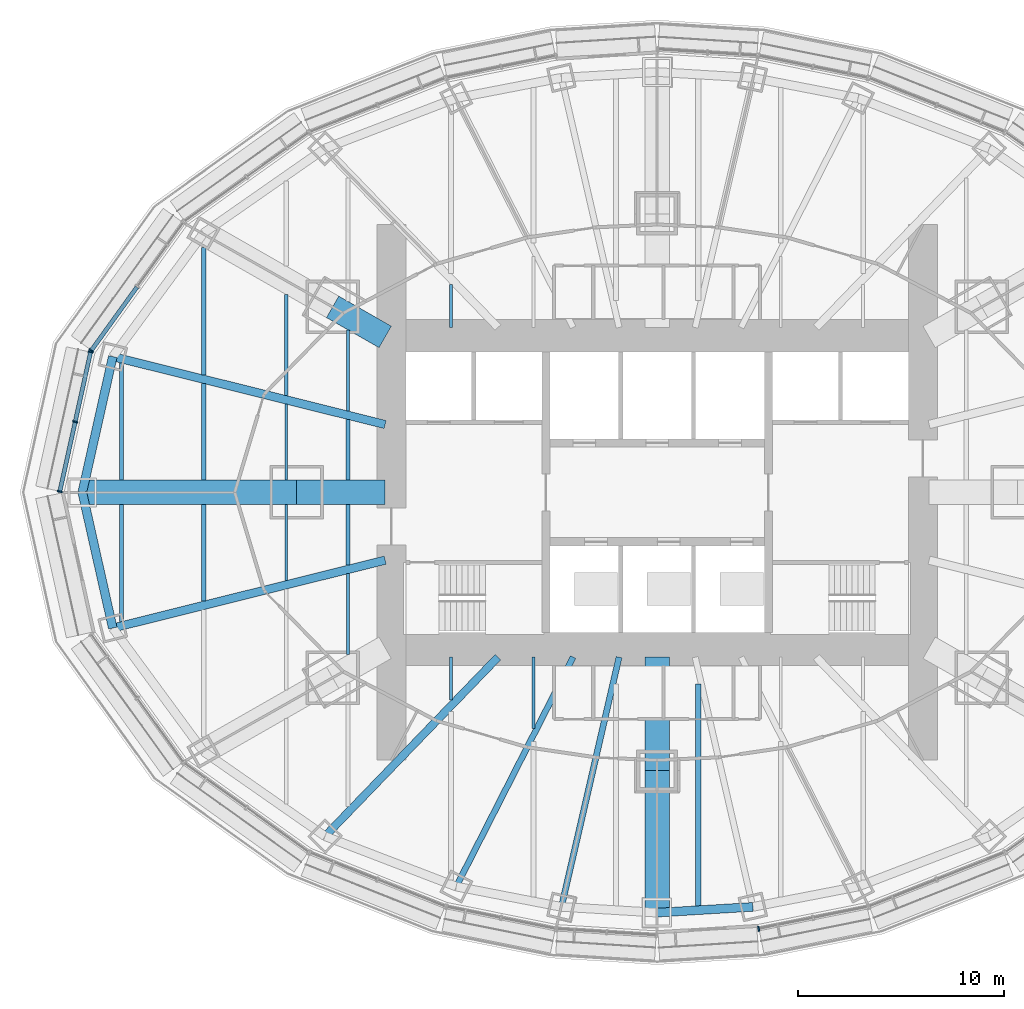
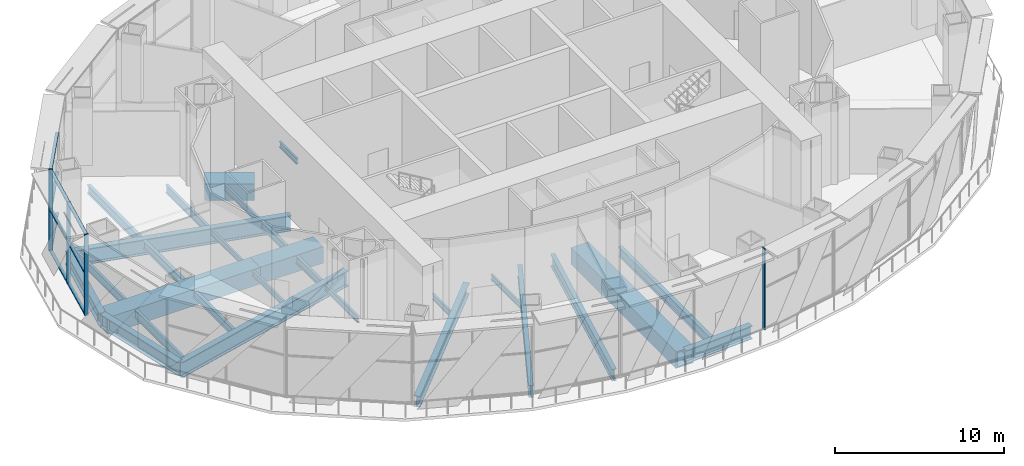
# One storey, part 3 of 21: 29 beams, 14 members, 3 elements without a shape of their own.
"""IFC4 building model written with IfcOpenShell, lengths in metres."""

from ifc_helpers import new_model, si_unit, direction, frame, origin, origin_2d, place, context, subcontext, project, spatial, rectangle, hollow_rectangle, i_section, extrude, material, material_profile, profile_set, type_object, element, aggregate, save


model = new_model("IFC4")

# Units and contexts
model_context = context("Model", 3, precision=1e-05, world=origin(), true_north=direction((0.0, 1.0)))
body_context = subcontext(model_context, "Body", "Model", "MODEL_VIEW")
ifc_project = project(units=[si_unit("LENGTHUNIT", "METRE"), si_unit("AREAUNIT", "SQUARE_METRE"), si_unit("VOLUMEUNIT", "CUBIC_METRE"), si_unit("PLANEANGLEUNIT", "RADIAN"), si_unit("MASSUNIT", "GRAM", prefix="KILO")], contexts=[model_context])

# Site, building, storey
site_placement = place(None, origin())
site = spatial("IfcSite", under=ifc_project, at=site_placement, CompositionType="ELEMENT")
building_placement = place(site_placement, origin())
building = spatial("IfcBuilding", under=site, at=building_placement, Name="Lantaw Convention Tower", CompositionType="ELEMENT")
storey_placement = place(building_placement, frame((0.0, 0.0, 111.39990234375)))
storey = spatial("IfcBuildingStorey", under=building, at=storey_placement, Name="L26", CompositionType="ELEMENT", Elevation=111.39990234375)

# Beams
ifc_material_1 = material(Name="Steel ASTM A992", Category="steel")
ifc_material_profile_1 = material_profile(ifc_material_1, i_section(OverallWidth=0.424072265625, OverallDepth=0.947509765625, WebThickness=0.02392578125, FlangeThickness=0.042724609375, FilletRadius=0.012451171875, at=origin_2d()), Name="W36X302")
ifc_profile_set_1 = profile_set([ifc_material_profile_1], Name="Steel ASTM A992")
beam_type_1 = type_object("IfcBeamType", Name="Beam BC W36X302", PredefinedType="SPANDREL", material=ifc_profile_set_1)
for number, where, z_axis, x_axis, name in (
    (1, (-26.419921875, 6.587158203125, -0.673583984375), (-0.219211877447, -0.975677279015, 0.0), (0.975677279015, -0.219211877447, 0.0), "Belt truss chord 12"),
    (2, (-27.89990234375, 0.0, -0.673583984375), (0.219211877447, -0.975677279015, 0.0), (0.975677279015, 0.219211877447, 0.0), "Belt truss chord 13"),
):
    element("IfcBeam", number, at=place(storey_placement, frame(where, z_axis=z_axis, x_axis=x_axis)), inside=storey, type_object=beam_type_1, Name=name, PredefinedType="SPANDREL", context=body_context, shape_type="SweptSolid", body=[
        extrude(i_section(OverallWidth=0.424072265625, OverallDepth=0.947509765625, WebThickness=0.02392578125, FlangeThickness=0.042724609375, FilletRadius=0.012451171875, at=origin_2d()), origin(), (0.0, 0.0, 1.0), 6.75146484375),
    ])
beam_1_placement = place(storey_placement, frame((0.0, -20.39990234375, -0.673583984375), z_axis=(0.998190892054, 0.06012439621, 0.0), x_axis=(-0.06012439621, 0.998190892054, 0.0)))
element("IfcBeam", 3, at=beam_1_placement, inside=storey, type_object=beam_type_1, Name="Belt truss chord 19", PredefinedType="SPANDREL", context=body_context, shape_type="SweptSolid", body=[
    extrude(i_section(OverallWidth=0.424072265625, OverallDepth=0.947509765625, WebThickness=0.02392578125, FlangeThickness=0.042724609375, FilletRadius=0.012451171875, at=origin_2d()), origin(), (0.0, 0.0, 1.0), 4.6533203125),
])
ifc_material_2 = material(Name="Steel EN 10025-3 S460N", Category="steel")
ifc_material_profile_2 = material_profile(ifc_material_2, hollow_rectangle(XDim=1.199951171875, YDim=1.199951171875, WallThickness=0.10009765625, at=origin_2d()), Name="BOX1200X100")
ifc_profile_set_2 = profile_set([ifc_material_profile_2], Name="Steel EN 10025-3 S460N")
beam_type_2 = type_object("IfcBeamType", Name="Beam G BOX1200X100", PredefinedType="BEAM", material=ifc_profile_set_2)
beam_2_placement = place(storey_placement, frame((-17.5, 0.0, -0.7998046875), z_axis=(-1.0, 0.0, 0.0), x_axis=(0.0, -1.0, 0.0)))
element("IfcBeam", 4, at=beam_2_placement, inside=storey, type_object=beam_type_2, Name="Floor girder on ray 13", PredefinedType="BEAM", context=body_context, shape_type="SweptSolid", body=[
    extrude(hollow_rectangle(XDim=1.199951171875, YDim=1.199951171875, WallThickness=0.10009765625, at=origin_2d()), origin(), (0.0, 0.0, 1.0), 10.39990234375),
])
beam_3_placement = place(storey_placement, frame((0.0, -13.5, -0.7998046875), z_axis=(0.0, -1.0, 0.0), x_axis=(1.0, 0.0, 0.0)))
element("IfcBeam", 5, at=beam_3_placement, inside=storey, type_object=beam_type_2, Name="Floor girder on ray 19", PredefinedType="BEAM", context=body_context, shape_type="SweptSolid", body=[
    extrude(hollow_rectangle(XDim=1.199951171875, YDim=1.199951171875, WallThickness=0.10009765625, at=origin_2d()), origin(), (0.0, 0.0, 1.0), 6.89990234375),
])
ifc_material_profile_3 = material_profile(ifc_material_1, i_section(OverallWidth=0.383544921875, OverallDepth=0.784912109375, WebThickness=0.019775390625, FlangeThickness=0.033447265625, FilletRadius=0.014892578125, at=origin_2d()), Name="W30X211")
ifc_profile_set_3 = profile_set([ifc_material_profile_3], Name="Steel ASTM A992")
beam_type_3 = type_object("IfcBeamType", Name="Beam G W30X211", PredefinedType="BEAM", material=ifc_profile_set_3)
beam_4_placement = place(storey_placement, frame((-7.7255859375, -8.0, -0.59228515625), z_axis=(-0.694661591875, -0.719336689439, 0.0), x_axis=(0.719336689439, -0.694661591875, 0.0)))
element("IfcBeam", 6, at=beam_4_placement, inside=storey, type_object=beam_type_3, Name="Floor girder on ray 16", PredefinedType="BEAM", context=body_context, shape_type="SweptSolid", body=[
    extrude(i_section(OverallWidth=0.383544921875, OverallDepth=0.784912109375, WebThickness=0.019775390625, FlangeThickness=0.033447265625, FilletRadius=0.014892578125, at=origin_2d()), origin(), (0.0, 0.0, 1.0), 12.080810546875),
])
ifc_material_profile_4 = material_profile(ifc_material_1, i_section(OverallWidth=0.2919921875, OverallDepth=0.845703125, WebThickness=0.015380859375, FlangeThickness=0.0244140625, FilletRadius=0.01513671875, at=origin_2d()), Name="W33X141")
ifc_profile_set_4 = profile_set([ifc_material_profile_4], Name="Steel ASTM A992")
beam_type_4 = type_object("IfcBeamType", Name="Beam G W33X141", PredefinedType="BEAM", material=ifc_profile_set_4)
beam_5_placement = place(storey_placement, frame((-4.076171875, -8.0, -0.622802734375), z_axis=(-0.453984907555, -0.891009373527, 0.0), x_axis=(0.891009373527, -0.453984907555, 0.0)))
element("IfcBeam", 7, at=beam_5_placement, inside=storey, type_object=beam_type_4, Name="Floor girder on ray 17", PredefinedType="BEAM", context=body_context, shape_type="SweptSolid", body=[
    extrude(i_section(OverallWidth=0.2919921875, OverallDepth=0.845703125, WebThickness=0.015380859375, FlangeThickness=0.0244140625, FilletRadius=0.01513671875, at=origin_2d()), origin(), (0.0, 0.0, 1.0), 12.49462890625),
])
beam_6_placement = place(storey_placement, frame((-1.846923828125, -8.0, -0.622802734375), z_axis=(-0.224946945919, -0.974371013281, 0.0), x_axis=(0.974371013281, -0.224946945919, 0.0)))
element("IfcBeam", 8, at=beam_6_placement, inside=storey, type_object=beam_type_4, Name="Floor girder on ray 18", PredefinedType="BEAM", context=body_context, shape_type="SweptSolid", body=[
    extrude(i_section(OverallWidth=0.2919921875, OverallDepth=0.845703125, WebThickness=0.015380859375, FlangeThickness=0.0244140625, FilletRadius=0.01513671875, at=origin_2d()), origin(), (0.0, 0.0, 1.0), 12.43896484375),
])
ifc_material_profile_5 = material_profile(ifc_material_1, i_section(OverallWidth=0.40380859375, OverallDepth=1.11767578125, WebThickness=0.026123046875, FlangeThickness=0.044921875, FilletRadius=0.02001953125, at=origin_2d()), Name="W44X335")
ifc_profile_set_5 = profile_set([ifc_material_profile_5], Name="Steel ASTM A992")
beam_type_5 = type_object("IfcBeamType", Name="Beam G W44X335", PredefinedType="BEAM", material=ifc_profile_set_5)
for number, where, z_axis, x_axis, name in (
    (9, (-13.199951171875, 3.291015625, -0.7587890625), (-0.970295145923, 0.241924223256, 0.0), (-0.241924223256, -0.970295145923, 0.0), "Floor girder on ray 12"),
    (10, (-13.199951171875, -3.291015625, -0.7587890625), (-0.970295145923, -0.241924223256, 0.0), (0.241924223256, -0.970295145923, 0.0), "Floor girder on ray 14"),
):
    element("IfcBeam", number, at=place(storey_placement, frame(where, z_axis=z_axis, x_axis=x_axis)), inside=storey, type_object=beam_type_5, Name=name, PredefinedType="BEAM", context=body_context, shape_type="SweptSolid", body=[
        extrude(i_section(OverallWidth=0.40380859375, OverallDepth=1.11767578125, WebThickness=0.026123046875, FlangeThickness=0.044921875, FilletRadius=0.02001953125, at=origin_2d()), origin(), (0.0, 0.0, 1.0), 13.624755859375),
    ])
ifc_material_profile_6 = material_profile(ifc_material_1, i_section(OverallWidth=0.140380859375, OverallDepth=0.40380859375, WebThickness=0.007080078125, FlangeThickness=0.01123046875, FilletRadius=0.01025390625, at=origin_2d()), Name="W16X31")
ifc_profile_set_6 = profile_set([ifc_material_profile_6], Name="Steel ASTM A992")
beam_type_6 = type_object("IfcBeamType", Name="Beam J W16X31", PredefinedType="JOIST", material=ifc_profile_set_6)
for number, where, z_axis, x_axis, name in (
    (11, (-18.0, -4.27978515625, -0.40185546875), (0.0, 1.0, 0.0), (-1.0, 0.0, 0.0), "Floor joist"),
    (12, (-18.0, 0.60009765625, -0.40185546875), (0.0, 1.0, 0.0), (-1.0, 0.0, 0.0), "Floor joist"),
):
    element("IfcBeam", number, at=place(storey_placement, frame(where, z_axis=z_axis, x_axis=x_axis)), inside=storey, type_object=beam_type_6, Name=name, PredefinedType="JOIST", context=body_context, shape_type="SweptSolid", body=[
        extrude(i_section(OverallWidth=0.140380859375, OverallDepth=0.40380859375, WebThickness=0.007080078125, FlangeThickness=0.01123046875, FilletRadius=0.01025390625, at=origin_2d()), origin(), (0.0, 0.0, 1.0), 3.6796875),
    ])
for number, where, z_axis, x_axis, name in (
    (13, (-10.0, -10.079345703125, -0.40185546875), (0.0, 1.0, 0.0), (-1.0, 0.0, 0.0), "Floor joist"),
    (14, (-10.0, 8.0, -0.40185546875), (0.0, 1.0, 0.0), (-1.0, 0.0, 0.0), "Floor joist"),
):
    element("IfcBeam", number, at=place(storey_placement, frame(where, z_axis=z_axis, x_axis=x_axis)), inside=storey, type_object=beam_type_6, Name=name, PredefinedType="JOIST", context=body_context, shape_type="SweptSolid", body=[
        extrude(i_section(OverallWidth=0.140380859375, OverallDepth=0.40380859375, WebThickness=0.007080078125, FlangeThickness=0.01123046875, FilletRadius=0.01025390625, at=origin_2d()), origin(), (0.0, 0.0, 1.0), 2.079345703125),
    ])
beam_7_placement = place(storey_placement, frame((-6.0, -11.453857421875, -0.40185546875), z_axis=(0.0, 1.0, 0.0), x_axis=(-1.0, 0.0, 0.0)))
element("IfcBeam", 15, at=beam_7_placement, inside=storey, type_object=beam_type_6, Name="Floor joist", PredefinedType="JOIST", context=body_context, shape_type="SweptSolid", body=[
    extrude(i_section(OverallWidth=0.140380859375, OverallDepth=0.40380859375, WebThickness=0.007080078125, FlangeThickness=0.01123046875, FilletRadius=0.01025390625, at=origin_2d()), origin(), (0.0, 0.0, 1.0), 3.453857421875),
])
ifc_material_profile_7 = material_profile(ifc_material_1, i_section(OverallWidth=0.15234375, OverallDepth=0.449462890625, WebThickness=0.007568359375, FlangeThickness=0.0107421875, FilletRadius=0.01025390625, at=origin_2d()), Name="W18X35")
ifc_profile_set_7 = profile_set([ifc_material_profile_7], Name="Steel ASTM A992")
beam_type_7 = type_object("IfcBeamType", Name="Beam J W18X35", PredefinedType="JOIST", material=ifc_profile_set_7)
for number, where, z_axis, x_axis, name in (
    (16, (-15.0, -7.88037109375, -0.4248046875), (0.0, 1.0, 0.0), (-1.0, 0.0, 0.0), "Floor joist"),
    (17, (-15.0, 3.947998046875, -0.4248046875), (0.0, 1.0, 0.0), (-1.0, 0.0, 0.0), "Floor joist"),
):
    element("IfcBeam", number, at=place(storey_placement, frame(where, z_axis=z_axis, x_axis=x_axis)), inside=storey, type_object=beam_type_7, Name=name, PredefinedType="JOIST", context=body_context, shape_type="SweptSolid", body=[
        extrude(i_section(OverallWidth=0.15234375, OverallDepth=0.449462890625, WebThickness=0.007568359375, FlangeThickness=0.0107421875, FilletRadius=0.01025390625, at=origin_2d()), origin(), (0.0, 0.0, 1.0), 3.932373046875),
    ])
ifc_material_profile_8 = material_profile(ifc_material_1, i_section(OverallWidth=0.2099609375, OverallDepth=0.535888671875, WebThickness=0.010986328125, FlangeThickness=0.017333984375, FilletRadius=0.012939453125, at=origin_2d()), Name="W21X68")
ifc_profile_set_8 = profile_set([ifc_material_profile_8], Name="Steel ASTM A992")
beam_type_8 = type_object("IfcBeamType", Name="Beam J W21X68", PredefinedType="JOIST", material=ifc_profile_set_8)
beam_8_placement = place(storey_placement, frame((-22.0, -5.277099609375, -0.4677734375), z_axis=(0.0, 1.0, 0.0), x_axis=(-1.0, 0.0, 0.0)))
element("IfcBeam", 18, at=beam_8_placement, inside=storey, type_object=beam_type_8, Name="Floor joist", PredefinedType="JOIST", context=body_context, shape_type="SweptSolid", body=[
    extrude(i_section(OverallWidth=0.2099609375, OverallDepth=0.535888671875, WebThickness=0.010986328125, FlangeThickness=0.017333984375, FilletRadius=0.012939453125, at=origin_2d()), origin(), (0.0, 0.0, 1.0), 4.677001953125),
])
for number, where, z_axis, x_axis, name in (
    (19, (-15.0, -3.53173828125, -0.4677734375), (0.0, 1.0, 0.0), (-1.0, 0.0, 0.0), "Floor joist"),
    (20, (-15.0, 0.60009765625, -0.4677734375), (0.0, 1.0, 0.0), (-1.0, 0.0, 0.0), "Floor joist"),
):
    element("IfcBeam", number, at=place(storey_placement, frame(where, z_axis=z_axis, x_axis=x_axis)), inside=storey, type_object=beam_type_8, Name=name, PredefinedType="JOIST", context=body_context, shape_type="SweptSolid", body=[
        extrude(i_section(OverallWidth=0.2099609375, OverallDepth=0.535888671875, WebThickness=0.010986328125, FlangeThickness=0.017333984375, FilletRadius=0.012939453125, at=origin_2d()), origin(), (0.0, 0.0, 1.0), 2.931640625),
    ])
ifc_material_profile_9 = material_profile(ifc_material_1, i_section(OverallWidth=0.177978515625, OverallDepth=0.599365234375, WebThickness=0.010009765625, FlangeThickness=0.012939453125, FilletRadius=0.012939453125, at=origin_2d()), Name="W24X55")
ifc_profile_set_9 = profile_set([ifc_material_profile_9], Name="Steel ASTM A992")
beam_type_9 = type_object("IfcBeamType", Name="Beam J W24X55", PredefinedType="JOIST", material=ifc_profile_set_9)
for number, where, z_axis, x_axis, name in (
    (21, (-26.0, -6.2744140625, -0.49951171875), (0.0, 1.0, 0.0), (-1.0, 0.0, 0.0), "Floor joist"),
    (22, (-26.0, 0.60009765625, -0.49951171875), (0.0, 1.0, 0.0), (-1.0, 0.0, 0.0), "Floor joist"),
):
    element("IfcBeam", number, at=place(storey_placement, frame(where, z_axis=z_axis, x_axis=x_axis)), inside=storey, type_object=beam_type_9, Name=name, PredefinedType="JOIST", context=body_context, shape_type="SweptSolid", body=[
        extrude(i_section(OverallWidth=0.177978515625, OverallDepth=0.599365234375, WebThickness=0.010009765625, FlangeThickness=0.012939453125, FilletRadius=0.012939453125, at=origin_2d()), origin(), (0.0, 0.0, 1.0), 5.67431640625),
    ])
beam_9_placement = place(storey_placement, frame((-18.0, 4.696044921875, -0.49951171875), z_axis=(0.0, 1.0, 0.0), x_axis=(-1.0, 0.0, 0.0)))
element("IfcBeam", 23, at=beam_9_placement, inside=storey, type_object=beam_type_9, Name="Floor joist", PredefinedType="JOIST", context=body_context, shape_type="SweptSolid", body=[
    extrude(i_section(OverallWidth=0.177978515625, OverallDepth=0.599365234375, WebThickness=0.010009765625, FlangeThickness=0.012939453125, FilletRadius=0.012939453125, at=origin_2d()), origin(), (0.0, 0.0, 1.0), 4.898681640625),
])
ifc_material_profile_10 = material_profile(ifc_material_1, i_section(OverallWidth=0.227783203125, OverallDepth=0.60205078125, WebThickness=0.010498046875, FlangeThickness=0.014892578125, FilletRadius=0.012939453125, at=origin_2d()), Name="W24X68")
ifc_profile_set_10 = profile_set([ifc_material_profile_10], Name="Steel ASTM A992")
beam_type_10 = type_object("IfcBeamType", Name="Beam J W24X68", PredefinedType="JOIST", material=ifc_profile_set_10)
beam_10_placement = place(storey_placement, frame((-22.0, 0.60009765625, -0.5009765625), z_axis=(0.0, 1.0, 0.0), x_axis=(-1.0, 0.0, 0.0)))
element("IfcBeam", 24, at=beam_10_placement, inside=storey, type_object=beam_type_10, Name="Floor joist", PredefinedType="JOIST", context=body_context, shape_type="SweptSolid", body=[
    extrude(i_section(OverallWidth=0.227783203125, OverallDepth=0.60205078125, WebThickness=0.010498046875, FlangeThickness=0.014892578125, FilletRadius=0.012939453125, at=origin_2d()), origin(), (0.0, 0.0, 1.0), 4.677001953125),
])
ifc_material_profile_11 = material_profile(ifc_material_1, i_section(OverallWidth=0.22900390625, OverallDepth=0.612060546875, WebThickness=0.011962890625, FlangeThickness=0.01953125, FilletRadius=0.0126953125, at=origin_2d()), Name="W24X84")
ifc_profile_set_11 = profile_set([ifc_material_profile_11], Name="Steel ASTM A992")
beam_type_11 = type_object("IfcBeamType", Name="Beam J W24X84", PredefinedType="JOIST", material=ifc_profile_set_11)
beam_11_placement = place(storey_placement, frame((-22.0, 5.693359375, -0.505859375), z_axis=(0.0, 1.0, 0.0), x_axis=(-1.0, 0.0, 0.0)))
element("IfcBeam", 25, at=beam_11_placement, inside=storey, type_object=beam_type_11, Name="Floor joist", PredefinedType="JOIST", context=body_context, shape_type="SweptSolid", body=[
    extrude(i_section(OverallWidth=0.22900390625, OverallDepth=0.612060546875, WebThickness=0.011962890625, FlangeThickness=0.01953125, FilletRadius=0.0126953125, at=origin_2d()), origin(), (0.0, 0.0, 1.0), 6.18701171875),
])
ifc_material_profile_12 = material_profile(ifc_material_1, i_section(OverallWidth=0.25390625, OverallDepth=0.700927734375, WebThickness=0.015380859375, FlangeThickness=0.02783203125, FilletRadius=0.01513671875, at=origin_2d()), Name="W27X129")
ifc_profile_set_12 = profile_set([ifc_material_profile_12], Name="Steel ASTM A992")
beam_type_12 = type_object("IfcBeamType", Name="Beam J W27X129", PredefinedType="JOIST", material=ifc_profile_set_12)
beam_12_placement = place(storey_placement, frame((2.0, -20.06689453125, -0.550537109375), z_axis=(0.0, 1.0, 0.0), x_axis=(-1.0, 0.0, 0.0)))
element("IfcBeam", 26, at=beam_12_placement, inside=storey, type_object=beam_type_12, Name="Floor joist", PredefinedType="JOIST", context=body_context, shape_type="SweptSolid", body=[
    extrude(i_section(OverallWidth=0.25390625, OverallDepth=0.700927734375, WebThickness=0.015380859375, FlangeThickness=0.02783203125, FilletRadius=0.01513671875, at=origin_2d()), origin(), (0.0, 0.0, 1.0), 10.754638671875),
])
ifc_material_profile_13 = material_profile(ifc_material_2, hollow_rectangle(XDim=1.199951171875, YDim=1.199951171875, WallThickness=0.10009765625, at=origin_2d()), Name="BOX1200X100")
ifc_profile_set_13 = profile_set([ifc_material_profile_13], Name="Steel EN 10025-3 S460N")
beam_type_13 = type_object("IfcBeamType", Name="Beam OC BOX1200X100", PredefinedType="BEAM", material=ifc_profile_set_13)
beam_13_placement = place(storey_placement, frame((-13.199951171875, 7.54296875, -0.7998046875), z_axis=(-0.868263603466, 0.496103129295, 0.0), x_axis=(-0.496103129295, -0.868263603466, 0.0)))
element("IfcBeam", 27, at=beam_13_placement, inside=storey, type_object=beam_type_13, Name="Outrigger chord on ray 11", PredefinedType="BEAM", context=body_context, shape_type="SweptSolid", body=[
    extrude(hollow_rectangle(XDim=1.199951171875, YDim=1.199951171875, WallThickness=0.10009765625, at=origin_2d()), origin(), (0.0, 0.0, 1.0), 2.93701171875),
])
beam_14_placement = place(storey_placement, frame((-13.199951171875, 0.0, -0.7998046875), z_axis=(-1.0, 0.0, 0.0), x_axis=(0.0, -1.0, 0.0)))
element("IfcBeam", 28, at=beam_14_placement, inside=storey, type_object=beam_type_13, Name="Outrigger chord on ray 13", PredefinedType="BEAM", context=body_context, shape_type="SweptSolid", body=[
    extrude(hollow_rectangle(XDim=1.199951171875, YDim=1.199951171875, WallThickness=0.10009765625, at=origin_2d()), origin(), (0.0, 0.0, 1.0), 4.300048828125),
])
beam_15_placement = place(storey_placement, frame((0.0, -8.0, -0.7998046875), z_axis=(0.0, -1.0, 0.0), x_axis=(1.0, 0.0, 0.0)))
element("IfcBeam", 29, at=beam_15_placement, inside=storey, type_object=beam_type_13, Name="Outrigger chord on ray 19", PredefinedType="BEAM", context=body_context, shape_type="SweptSolid", body=[
    extrude(hollow_rectangle(XDim=1.199951171875, YDim=1.199951171875, WallThickness=0.10009765625, at=origin_2d()), origin(), (0.0, 0.0, 1.0), 5.5),
])

# Curtain wall, member
ifc_material_3 = material(Name="Aluminium framed curtain wall", Category="aluminium")
curtain_wall_type = type_object("IfcCurtainWallType", Name="Sky lobby curtain wall L26, pale aluminium", PredefinedType="USERDEFINED", material=ifc_material_3)
curtain_wall_1_placement = place(storey_placement, origin())
curtain_wall_1 = element("IfcCurtainWall", 30, at=curtain_wall_1_placement, inside=storey, type_object=curtain_wall_type, Name="Sky lobby curtain wall L26, pale aluminium L26", ObjectType="STICK CURTAIN WALL", PredefinedType="USERDEFINED")
ifc_material_4 = material(Name="Aluminium 6063-T6", Category="aluminium")
ifc_material_profile_14 = material_profile(ifc_material_4, rectangle(XDim=0.25, YDim=0.074951171875, at=origin_2d()), Name="CW-SL mullion 75x250")
ifc_profile_set_14 = profile_set([ifc_material_profile_14], Name="Aluminium 6063-T6")
member_type_1 = type_object("IfcMemberType", Name="CW-SL mullion 75x250", PredefinedType="MULLION", material=ifc_profile_set_14)
member_1_placement = place(storey_placement, frame((-27.46533203125, 6.8837890625, 0.0), z_axis=(0.0, 0.0, 1.0), x_axis=(0.811384633629, -0.584512597221, 0.0)))
member_1 = element("IfcMember", 31, at=member_1_placement, type_object=member_type_1, Name="CW-SL mullion 3", PredefinedType="MULLION", context=body_context, shape_type="SweptSolid", body=[
    extrude(rectangle(XDim=0.25, YDim=0.074951171875, at=origin_2d()), origin(), (0.0, 0.0, 1.0), 5.85009765625),
])

# Curtain wall, members
curtain_wall_2_placement = place(storey_placement, origin())
curtain_wall_2 = element("IfcCurtainWall", 32, at=curtain_wall_2_placement, inside=storey, type_object=curtain_wall_type, Name="Sky lobby curtain wall L26, pale aluminium L26", ObjectType="STICK CURTAIN WALL", PredefinedType="USERDEFINED")
member_2_placement = place(storey_placement, frame((-27.495361328125, 6.816650390625, 0.0), z_axis=(0.0, 0.0, 1.0), x_axis=(0.9764936509, -0.215546166174, 0.0)))
member_2 = element("IfcMember", 33, at=member_2_placement, type_object=member_type_1, Name="CW-SL mullion 1", PredefinedType="MULLION", context=body_context, shape_type="SweptSolid", body=[
    extrude(rectangle(XDim=0.25, YDim=0.074951171875, at=origin_2d()), origin(), (0.0, 0.0, 1.0), 5.85009765625),
])
member_3_placement = place(storey_placement, frame((-28.24365234375, 3.4267578125, 0.0), z_axis=(0.0, 0.0, 1.0), x_axis=(0.9764936509, -0.215546166174, 0.0)))
member_3 = element("IfcMember", 34, at=member_3_placement, type_object=member_type_1, Name="CW-SL mullion 2", PredefinedType="MULLION", context=body_context, shape_type="SweptSolid", body=[
    extrude(rectangle(XDim=0.25, YDim=0.074951171875, at=origin_2d()), origin(), (0.0, 0.0, 1.0), 5.85009765625),
])
member_4_placement = place(storey_placement, frame((-28.991943359375, 0.03662109375, 0.0), z_axis=(0.0, 0.0, 1.0), x_axis=(0.9764936509, -0.215546166174, 0.0)))
member_4 = element("IfcMember", 35, at=member_4_placement, type_object=member_type_1, Name="CW-SL mullion 3", PredefinedType="MULLION", context=body_context, shape_type="SweptSolid", body=[
    extrude(rectangle(XDim=0.25, YDim=0.074951171875, at=origin_2d()), origin(), (0.0, 0.0, 1.0), 5.85009765625),
])

# Curtain wall, member
curtain_wall_3_placement = place(storey_placement, origin())
curtain_wall_3 = element("IfcCurtainWall", 36, at=curtain_wall_3_placement, inside=storey, type_object=curtain_wall_type, Name="Sky lobby curtain wall L26, pale aluminium L26", ObjectType="STICK CURTAIN WALL", PredefinedType="USERDEFINED")
member_5_placement = place(storey_placement, frame((4.92919921875, -21.184326171875, 0.0), z_axis=(0.0, 0.0, 1.0), x_axis=(-0.197506809659, 0.980301514912, 0.0)))
member_5 = element("IfcMember", 37, at=member_5_placement, type_object=member_type_1, Name="CW-SL mullion 1", PredefinedType="MULLION", context=body_context, shape_type="SweptSolid", body=[
    extrude(rectangle(XDim=0.25, YDim=0.074951171875, at=origin_2d()), origin(), (0.0, 0.0, 1.0), 5.85009765625),
])
aggregate(curtain_wall_3, [member_5])

# Member
ifc_material_profile_15 = material_profile(ifc_material_4, rectangle(XDim=0.199951171875, YDim=0.074951171875, at=origin_2d()), Name="CW-SL transom 75x200")
ifc_profile_set_15 = profile_set([ifc_material_profile_15], Name="Aluminium 6063-T6")
member_type_2 = type_object("IfcMemberType", Name="CW-SL transom 75x200", PredefinedType="USERDEFINED", material=ifc_profile_set_15)
member_6_placement = place(storey_placement, frame((-25.25, 9.958740234375, 0.03759765625), z_axis=(-0.584544666344, -0.811361530422, 0.0), x_axis=(0.811361530422, -0.584544666344, 0.0)))
member_6 = element("IfcMember", 38, at=member_6_placement, type_object=member_type_2, Name="CW-SL transom 2.1", ObjectType="TRANSOM", PredefinedType="USERDEFINED", context=body_context, shape_type="SweptSolid", body=[
    extrude(rectangle(XDim=0.199951171875, YDim=0.074951171875, at=origin_2d()), origin(), (0.0, 0.0, 1.0), 3.752197265625),
])

member_7_placement = place(storey_placement, frame((-25.25, 9.958740234375, 3.0), z_axis=(-0.584544666344, -0.811361530422, 0.0), x_axis=(0.811361530422, -0.584544666344, 0.0)))
member_7 = element("IfcMember", 39, at=member_7_placement, type_object=member_type_2, Name="CW-SL transom 2.2", ObjectType="TRANSOM", PredefinedType="USERDEFINED", context=body_context, shape_type="SweptSolid", body=[
    extrude(rectangle(XDim=0.199951171875, YDim=0.074951171875, at=origin_2d()), origin(), (0.0, 0.0, 1.0), 3.752197265625),
])

member_8_placement = place(storey_placement, frame((-25.25, 9.958740234375, 5.8125), z_axis=(-0.584544666344, -0.811361530422, 0.0), x_axis=(0.811361530422, -0.584544666344, 0.0)))
member_8 = element("IfcMember", 40, at=member_8_placement, type_object=member_type_2, Name="CW-SL transom 2.3", ObjectType="TRANSOM", PredefinedType="USERDEFINED", context=body_context, shape_type="SweptSolid", body=[
    extrude(rectangle(XDim=0.199951171875, YDim=0.074951171875, at=origin_2d()), origin(), (0.0, 0.0, 1.0), 3.752197265625),
])

aggregate(curtain_wall_1, [member_1, member_6, member_7, member_8])

member_9_placement = place(storey_placement, frame((-27.50341796875, 6.780029296875, 0.03759765625), z_axis=(-0.215567910483, -0.97648885092, 0.0), x_axis=(0.97648885092, -0.215567910483, 0.0)))
member_9 = element("IfcMember", 41, at=member_9_placement, type_object=member_type_2, Name="CW-SL transom 1.1", ObjectType="TRANSOM", PredefinedType="USERDEFINED", context=body_context, shape_type="SweptSolid", body=[
    extrude(rectangle(XDim=0.199951171875, YDim=0.074951171875, at=origin_2d()), origin(), (0.0, 0.0, 1.0), 3.396484375),
])

member_10_placement = place(storey_placement, frame((-27.50341796875, 6.780029296875, 3.0), z_axis=(-0.215567910483, -0.97648885092, 0.0), x_axis=(0.97648885092, -0.215567910483, 0.0)))
member_10 = element("IfcMember", 42, at=member_10_placement, type_object=member_type_2, Name="CW-SL transom 1.2", ObjectType="TRANSOM", PredefinedType="USERDEFINED", context=body_context, shape_type="SweptSolid", body=[
    extrude(rectangle(XDim=0.199951171875, YDim=0.074951171875, at=origin_2d()), origin(), (0.0, 0.0, 1.0), 3.396484375),
])

member_11_placement = place(storey_placement, frame((-27.50341796875, 6.780029296875, 5.8125), z_axis=(-0.215567910483, -0.97648885092, 0.0), x_axis=(0.97648885092, -0.215567910483, 0.0)))
member_11 = element("IfcMember", 43, at=member_11_placement, type_object=member_type_2, Name="CW-SL transom 1.3", ObjectType="TRANSOM", PredefinedType="USERDEFINED", context=body_context, shape_type="SweptSolid", body=[
    extrude(rectangle(XDim=0.199951171875, YDim=0.074951171875, at=origin_2d()), origin(), (0.0, 0.0, 1.0), 3.396484375),
])

member_12_placement = place(storey_placement, frame((-28.251708984375, 3.39013671875, 0.03759765625), z_axis=(-0.215552780818, -0.976492190794, 0.0), x_axis=(0.976492190794, -0.215552780818, 0.0)))
member_12 = element("IfcMember", 44, at=member_12_placement, type_object=member_type_2, Name="CW-SL transom 2.1", ObjectType="TRANSOM", PredefinedType="USERDEFINED", context=body_context, shape_type="SweptSolid", body=[
    extrude(rectangle(XDim=0.199951171875, YDim=0.074951171875, at=origin_2d()), origin(), (0.0, 0.0, 1.0), 3.396728515625),
])

member_13_placement = place(storey_placement, frame((-28.251708984375, 3.39013671875, 3.0), z_axis=(-0.215552780818, -0.976492190794, 0.0), x_axis=(0.976492190794, -0.215552780818, 0.0)))
member_13 = element("IfcMember", 45, at=member_13_placement, type_object=member_type_2, Name="CW-SL transom 2.2", ObjectType="TRANSOM", PredefinedType="USERDEFINED", context=body_context, shape_type="SweptSolid", body=[
    extrude(rectangle(XDim=0.199951171875, YDim=0.074951171875, at=origin_2d()), origin(), (0.0, 0.0, 1.0), 3.396728515625),
])

member_14_placement = place(storey_placement, frame((-28.251708984375, 3.39013671875, 5.8125), z_axis=(-0.215552780818, -0.976492190794, 0.0), x_axis=(0.976492190794, -0.215552780818, 0.0)))
member_14 = element("IfcMember", 46, at=member_14_placement, type_object=member_type_2, Name="CW-SL transom 2.3", ObjectType="TRANSOM", PredefinedType="USERDEFINED", context=body_context, shape_type="SweptSolid", body=[
    extrude(rectangle(XDim=0.199951171875, YDim=0.074951171875, at=origin_2d()), origin(), (0.0, 0.0, 1.0), 3.396728515625),
])

aggregate(curtain_wall_2, [member_2, member_3, member_4, member_9, member_10, member_11, member_12, member_13, member_14])

save(model, "model.ifc")
